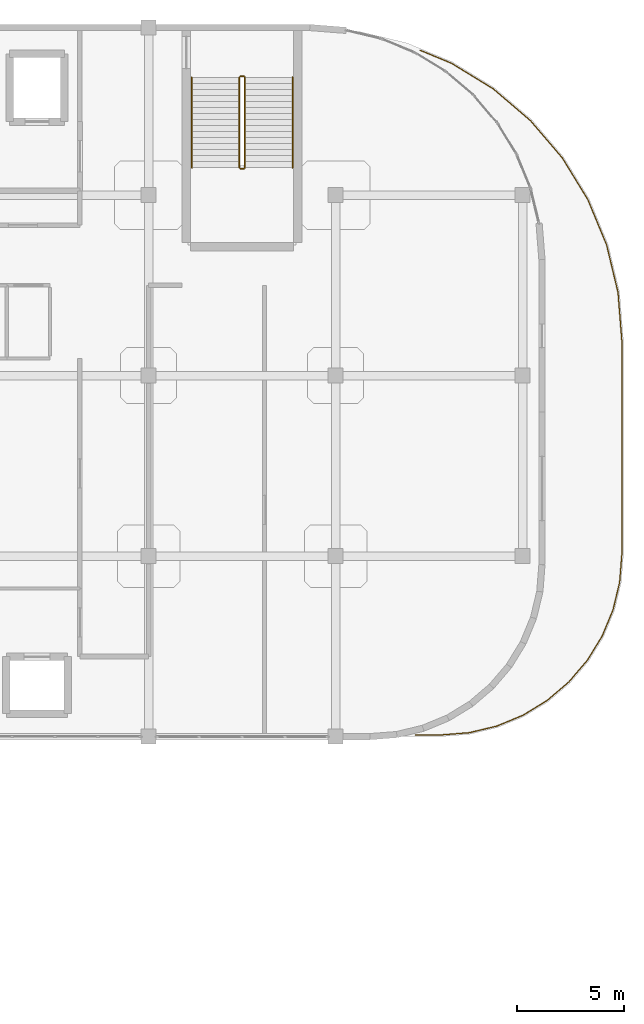
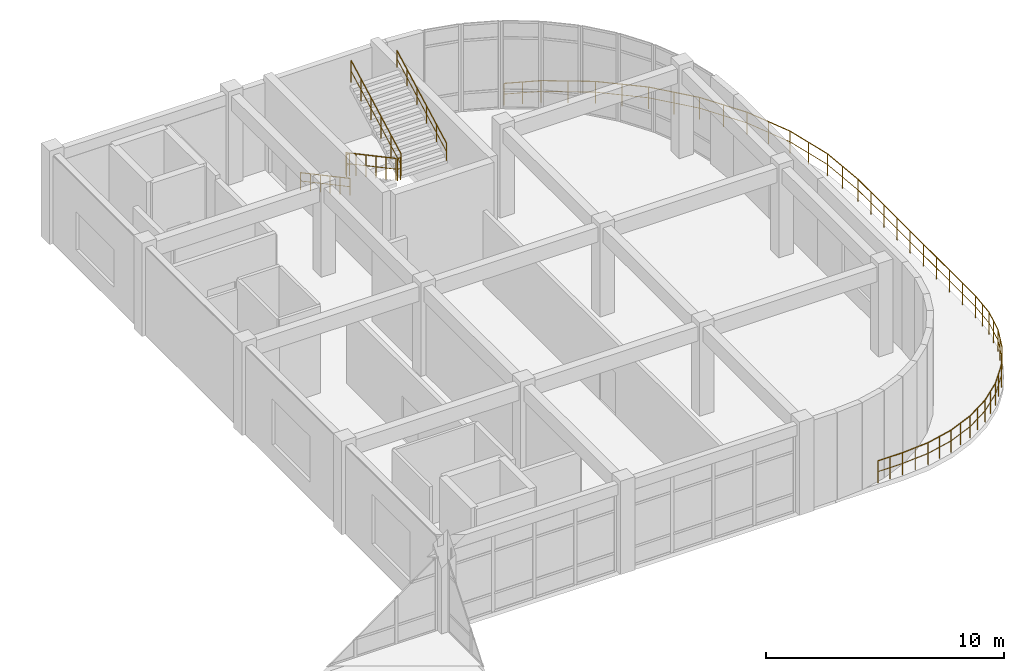
# One storey, part 64 of 64: 7 railings.
"""IFC4 building model written with IfcOpenShell, lengths in metres."""

from ifc_helpers import new_model, si_unit, derived_unit, direction, frame, origin, origin_2d, place, context, subcontext, project, spatial, circle, extrude, material, type_object, element, save


model = new_model("IFC4")

# Units and contexts
model_context = context("Model", 3, precision=1e-05, world=origin(), true_north=direction((0.0, 1.0)))
body_context = subcontext(model_context, "Body", "Model", "MODEL_VIEW")
ifc_project = project(units=[si_unit("LENGTHUNIT", "METRE"), si_unit("AREAUNIT", "SQUARE_METRE"), si_unit("VOLUMEUNIT", "CUBIC_METRE"), si_unit("PLANEANGLEUNIT", "RADIAN"), si_unit("MASSUNIT", "GRAM", prefix="KILO"), derived_unit("THERMALTRANSMITTANCEUNIT", [(si_unit("MASSUNIT", "GRAM", prefix="KILO"), 1), (si_unit("TIMEUNIT", "SECOND"), -3), (si_unit("THERMODYNAMICTEMPERATUREUNIT", "KELVIN"), -1)])], contexts=[model_context])

# Site, building, storey
site_placement = place(None, origin())
site = spatial("IfcSite", under=ifc_project, at=site_placement, CompositionType="ELEMENT")
building_placement = place(site_placement, origin())
building = spatial("IfcBuilding", under=site, at=building_placement, Name="Qinzheling Arcade Emporium", CompositionType="ELEMENT")
storey_placement = place(building_placement, frame((0.0, 0.0, 31.5)))
storey = spatial("IfcBuildingStorey", under=building, at=storey_placement, Name="L07", CompositionType="ELEMENT", Elevation=31.5)

# Railings
ifc_material_1 = material(Name="Architectural bronze rail and laminated safety glass", Category="glass")
railing_type_1 = type_object("IfcRailingType", Name="Curved Terrace Laminated Glass and Bronze Balustrade 1150", PredefinedType="BALUSTRADE", material=ifc_material_1)
railing_1_placement = place(storey_placement, frame((125.72705078125, 105.743896484375, 0.0)))
element("IfcRailing", 1, at=railing_1_placement, inside=storey, type_object=railing_type_1, Name="Terrace Balustrade RLG-TER-L07-019", PredefinedType="BALUSTRADE", context=body_context, shape_type="SweptSolid", body=[
    extrude(circle(Radius=0.02392578125, at=origin_2d()), frame((0.0, 0.0, 1.1259765625), z_axis=(0.923840407265, -0.38277787541, 0.0), x_axis=(0.38277787541, 0.923840407265, 0.0)), (0.0, 0.0, 1.0), 1.585693359375),
    extrude(circle(Radius=0.01611328125, at=origin_2d()), frame((0.0, 0.0, 0.574951171875), z_axis=(0.923840407265, -0.38277787541, 0.0), x_axis=(0.38277787541, 0.923840407265, 0.0)), (0.0, 0.0, 1.0), 1.585693359375),
    extrude(circle(Radius=0.02392578125, at=origin_2d()), frame((1.46484375, -0.60693359375, 1.1259765625), z_axis=(0.852796767504, -0.522242925596, 0.0), x_axis=(0.522242925596, 0.852796767504, 0.0)), (0.0, 0.0, 1.0), 2.278564453125),
    extrude(circle(Radius=0.01611328125, at=origin_2d()), frame((1.46484375, -0.60693359375, 0.574951171875), z_axis=(0.852796767504, -0.522242925596, 0.0), x_axis=(0.522242925596, 0.852796767504, 0.0)), (0.0, 0.0, 1.0), 2.278564453125),
    extrude(circle(Radius=0.02392578125, at=origin_2d()), frame((3.407958984375, -1.796875, 1.1259765625), z_axis=(0.760239145742, -0.649643318507, 0.0), x_axis=(0.649643318507, 0.760239145742, 0.0)), (0.0, 0.0, 1.0), 2.278076171875),
    extrude(circle(Radius=0.01611328125, at=origin_2d()), frame((3.407958984375, -1.796875, 0.574951171875), z_axis=(0.760239145742, -0.649643318507, 0.0), x_axis=(0.649643318507, 0.760239145742, 0.0)), (0.0, 0.0, 1.0), 2.278076171875),
    extrude(circle(Radius=0.02392578125, at=origin_2d()), frame((5.139892578125, -3.27685546875, 1.1259765625), z_axis=(0.649643318507, -0.760239145742, 0.0), x_axis=(0.760239145742, 0.649643318507, 0.0)), (0.0, 0.0, 1.0), 2.278076171875),
    extrude(circle(Radius=0.01611328125, at=origin_2d()), frame((5.139892578125, -3.27685546875, 0.574951171875), z_axis=(0.649643318507, -0.760239145742, 0.0), x_axis=(0.760239145742, 0.649643318507, 0.0)), (0.0, 0.0, 1.0), 2.278076171875),
    extrude(circle(Radius=0.02392578125, at=origin_2d()), frame((6.619873046875, -5.0087890625, 1.1259765625), z_axis=(0.522320844292, -0.852749046096, 0.0), x_axis=(0.852749046096, 0.522320844292, 0.0)), (0.0, 0.0, 1.0), 2.278564453125),
    extrude(circle(Radius=0.01611328125, at=origin_2d()), frame((6.619873046875, -5.0087890625, 0.574951171875), z_axis=(0.522320844292, -0.852749046096, 0.0), x_axis=(0.852749046096, 0.522320844292, 0.0)), (0.0, 0.0, 1.0), 2.278564453125),
    extrude(circle(Radius=0.02392578125, at=origin_2d()), frame((7.81005859375, -6.951904296875, 1.1259765625), z_axis=(0.382651481018, -0.923892766545, 0.0), x_axis=(0.923892766545, 0.382651481018, 0.0)), (0.0, 0.0, 1.0), 2.2783203125),
    extrude(circle(Radius=0.01611328125, at=origin_2d()), frame((7.81005859375, -6.951904296875, 0.574951171875), z_axis=(0.382651481018, -0.923892766545, 0.0), x_axis=(0.923892766545, 0.382651481018, 0.0)), (0.0, 0.0, 1.0), 2.2783203125),
    extrude(circle(Radius=0.02392578125, at=origin_2d()), frame((8.681884765625, -9.056884765625, 1.1259765625), z_axis=(0.233425623331, -0.972374659466, 0.0), x_axis=(0.972374659466, 0.233425623331, 0.0)), (0.0, 0.0, 1.0), 2.279052734375),
    extrude(circle(Radius=0.01611328125, at=origin_2d()), frame((8.681884765625, -9.056884765625, 0.574951171875), z_axis=(0.233425623331, -0.972374659466, 0.0), x_axis=(0.972374659466, 0.233425623331, 0.0)), (0.0, 0.0, 1.0), 2.279052734375),
    extrude(circle(Radius=0.02392578125, at=origin_2d()), frame((9.2138671875, -11.27294921875, 1.1259765625), z_axis=(0.078562523543, -0.996909188389, 0.0), x_axis=(0.996909188389, 0.078562523543, 0.0)), (0.0, 0.0, 1.0), 2.281005859375),
    extrude(circle(Radius=0.01611328125, at=origin_2d()), frame((9.2138671875, -11.27294921875, 0.574951171875), z_axis=(0.078562523543, -0.996909188389, 0.0), x_axis=(0.996909188389, 0.078562523543, 0.0)), (0.0, 0.0, 1.0), 2.281005859375),
    extrude(circle(Radius=0.02392578125, at=origin_2d()), frame((9.39306640625, -13.546875, 1.1259765625), z_axis=(0.0, -1.0, 0.0), x_axis=(1.0, 0.0, 0.0)), (0.0, 0.0, 1.0), 9.89404296875),
    extrude(circle(Radius=0.01611328125, at=origin_2d()), frame((9.39306640625, -13.546875, 0.574951171875), z_axis=(0.0, -1.0, 0.0), x_axis=(1.0, 0.0, 0.0)), (0.0, 0.0, 1.0), 9.89404296875),
    extrude(circle(Radius=0.02392578125, at=origin_2d()), frame((9.39306640625, -23.44091796875, 1.1259765625), z_axis=(-0.078543361838, -0.996910698263, 0.0), x_axis=(0.996910698263, -0.078543361838, 0.0)), (0.0, 0.0, 1.0), 1.32421875),
    extrude(circle(Radius=0.01611328125, at=origin_2d()), frame((9.39306640625, -23.44091796875, 0.574951171875), z_axis=(-0.078543361838, -0.996910698263, 0.0), x_axis=(0.996910698263, -0.078543361838, 0.0)), (0.0, 0.0, 1.0), 1.32421875),
    extrude(circle(Radius=0.02392578125, at=origin_2d()), frame((9.2890625, -24.760986328125, 1.1259765625), z_axis=(-0.233177278107, -0.972434243008, 0.0), x_axis=(0.972434243008, -0.233177278107, 0.0)), (0.0, 0.0, 1.0), 1.3212890625),
    extrude(circle(Radius=0.01611328125, at=origin_2d()), frame((9.2890625, -24.760986328125, 0.574951171875), z_axis=(-0.233177278107, -0.972434243008, 0.0), x_axis=(0.972434243008, -0.233177278107, 0.0)), (0.0, 0.0, 1.0), 1.3212890625),
    extrude(circle(Radius=0.02392578125, at=origin_2d()), frame((8.98095703125, -26.0458984375, 1.1259765625), z_axis=(-0.382922754991, -0.923780365514, 0.0), x_axis=(0.923780365514, -0.382922754991, 0.0)), (0.0, 0.0, 1.0), 1.32177734375),
    extrude(circle(Radius=0.01611328125, at=origin_2d()), frame((8.98095703125, -26.0458984375, 0.574951171875), z_axis=(-0.382922754991, -0.923780365514, 0.0), x_axis=(0.923780365514, -0.382922754991, 0.0)), (0.0, 0.0, 1.0), 1.32177734375),
    extrude(circle(Radius=0.02392578125, at=origin_2d()), frame((8.474853515625, -27.266845703125, 1.1259765625), z_axis=(-0.522466678604, -0.852659703369, 0.0), x_axis=(0.852659703369, -0.522466678604, 0.0)), (0.0, 0.0, 1.0), 1.320556640625),
    extrude(circle(Radius=0.01611328125, at=origin_2d()), frame((8.474853515625, -27.266845703125, 0.574951171875), z_axis=(-0.522466678604, -0.852659703369, 0.0), x_axis=(0.852659703369, -0.522466678604, 0.0)), (0.0, 0.0, 1.0), 1.320556640625),
    extrude(circle(Radius=0.02392578125, at=origin_2d()), frame((7.784912109375, -28.392822265625, 1.1259765625), z_axis=(-0.64999979537, -0.759934382706, 0.0), x_axis=(0.759934382706, -0.64999979537, 0.0)), (0.0, 0.0, 1.0), 1.3212890625),
    extrude(circle(Radius=0.01611328125, at=origin_2d()), frame((7.784912109375, -28.392822265625, 0.574951171875), z_axis=(-0.64999979537, -0.759934382706, 0.0), x_axis=(0.759934382706, -0.64999979537, 0.0)), (0.0, 0.0, 1.0), 1.3212890625),
    extrude(circle(Radius=0.02392578125, at=origin_2d()), frame((6.926025390625, -29.39697265625, 1.1259765625), z_axis=(-0.759934382706, -0.64999979537, 0.0), x_axis=(0.64999979537, -0.759934382706, 0.0)), (0.0, 0.0, 1.0), 1.3212890625),
    extrude(circle(Radius=0.01611328125, at=origin_2d()), frame((6.926025390625, -29.39697265625, 0.574951171875), z_axis=(-0.759934382706, -0.64999979537, 0.0), x_axis=(0.64999979537, -0.759934382706, 0.0)), (0.0, 0.0, 1.0), 1.3212890625),
    extrude(circle(Radius=0.02392578125, at=origin_2d()), frame((5.921875, -30.255859375, 1.1259765625), z_axis=(-0.852659703369, -0.522466678604, 0.0), x_axis=(0.522466678604, -0.852659703369, 0.0)), (0.0, 0.0, 1.0), 1.320556640625),
    extrude(circle(Radius=0.01611328125, at=origin_2d()), frame((5.921875, -30.255859375, 0.574951171875), z_axis=(-0.852659703369, -0.522466678604, 0.0), x_axis=(0.522466678604, -0.852659703369, 0.0)), (0.0, 0.0, 1.0), 1.320556640625),
    extrude(circle(Radius=0.02392578125, at=origin_2d()), frame((4.7958984375, -30.94580078125, 1.1259765625), z_axis=(-0.923780365514, -0.382922754991, 0.0), x_axis=(0.382922754991, -0.923780365514, 0.0)), (0.0, 0.0, 1.0), 1.32177734375),
    extrude(circle(Radius=0.01611328125, at=origin_2d()), frame((4.7958984375, -30.94580078125, 0.574951171875), z_axis=(-0.923780365514, -0.382922754991, 0.0), x_axis=(0.382922754991, -0.923780365514, 0.0)), (0.0, 0.0, 1.0), 1.32177734375),
    extrude(circle(Radius=0.02392578125, at=origin_2d()), frame((3.574951171875, -31.451904296875, 1.1259765625), z_axis=(-0.972434243008, -0.233177278107, 0.0), x_axis=(0.233177278107, -0.972434243008, 0.0)), (0.0, 0.0, 1.0), 1.3212890625),
    extrude(circle(Radius=0.01611328125, at=origin_2d()), frame((3.574951171875, -31.451904296875, 0.574951171875), z_axis=(-0.972434243008, -0.233177278107, 0.0), x_axis=(0.233177278107, -0.972434243008, 0.0)), (0.0, 0.0, 1.0), 1.3212890625),
    extrude(circle(Radius=0.02392578125, at=origin_2d()), frame((2.2900390625, -31.760009765625, 1.1259765625), z_axis=(-0.996910698263, -0.078543361838, 0.0), x_axis=(0.078543361838, -0.996910698263, 0.0)), (0.0, 0.0, 1.0), 1.32421875),
    extrude(circle(Radius=0.01611328125, at=origin_2d()), frame((2.2900390625, -31.760009765625, 0.574951171875), z_axis=(-0.996910698263, -0.078543361838, 0.0), x_axis=(0.078543361838, -0.996910698263, 0.0)), (0.0, 0.0, 1.0), 1.32421875),
    extrude(circle(Radius=0.02392578125, at=origin_2d()), frame((0.969970703125, -31.864013671875, 1.1259765625), z_axis=(-1.0, 0.0, 0.0), x_axis=(0.0, -1.0, 0.0)), (0.0, 0.0, 1.0), 1.180908203125),
    extrude(circle(Radius=0.01611328125, at=origin_2d()), frame((0.969970703125, -31.864013671875, 0.574951171875), z_axis=(-1.0, 0.0, 0.0), x_axis=(0.0, -1.0, 0.0)), (0.0, 0.0, 1.0), 1.180908203125),
    extrude(circle(Radius=0.02099609375, at=origin_2d()), origin(), (0.0, 0.0, 1.0), 1.101806640625),
    extrude(circle(Radius=0.02099609375, at=origin_2d()), frame((0.732421875, -0.303466796875, 0.0)), (0.0, 0.0, 1.0), 1.101806640625),
    extrude(circle(Radius=0.02099609375, at=origin_2d()), frame((1.46484375, -0.60693359375, 0.0)), (0.0, 0.0, 1.0), 1.101806640625),
    extrude(circle(Radius=0.02099609375, at=origin_2d()), frame((2.4365234375, -1.201904296875, 0.0)), (0.0, 0.0, 1.0), 1.101806640625),
    extrude(circle(Radius=0.02099609375, at=origin_2d()), frame((3.407958984375, -1.796875, 0.0)), (0.0, 0.0, 1.0), 1.101806640625),
    extrude(circle(Radius=0.02099609375, at=origin_2d()), frame((4.27392578125, -2.536865234375, 0.0)), (0.0, 0.0, 1.0), 1.101806640625),
    extrude(circle(Radius=0.02099609375, at=origin_2d()), frame((5.139892578125, -3.27685546875, 0.0)), (0.0, 0.0, 1.0), 1.101806640625),
    extrude(circle(Radius=0.02099609375, at=origin_2d()), frame((5.8798828125, -4.142822265625, 0.0)), (0.0, 0.0, 1.0), 1.101806640625),
    extrude(circle(Radius=0.02099609375, at=origin_2d()), frame((6.619873046875, -5.0087890625, 0.0)), (0.0, 0.0, 1.0), 1.101806640625),
    extrude(circle(Radius=0.02099609375, at=origin_2d()), frame((7.21484375, -5.98046875, 0.0)), (0.0, 0.0, 1.0), 1.101806640625),
    extrude(circle(Radius=0.02099609375, at=origin_2d()), frame((7.81005859375, -6.951904296875, 0.0)), (0.0, 0.0, 1.0), 1.101806640625),
    extrude(circle(Radius=0.02099609375, at=origin_2d()), frame((8.24609375, -8.00439453125, 0.0)), (0.0, 0.0, 1.0), 1.101806640625),
    extrude(circle(Radius=0.02099609375, at=origin_2d()), frame((8.681884765625, -9.056884765625, 0.0)), (0.0, 0.0, 1.0), 1.101806640625),
    extrude(circle(Radius=0.02099609375, at=origin_2d()), frame((8.94775390625, -10.1650390625, 0.0)), (0.0, 0.0, 1.0), 1.101806640625),
    extrude(circle(Radius=0.02099609375, at=origin_2d()), frame((9.2138671875, -11.27294921875, 0.0)), (0.0, 0.0, 1.0), 1.101806640625),
    extrude(circle(Radius=0.02099609375, at=origin_2d()), frame((9.303466796875, -12.409912109375, 0.0)), (0.0, 0.0, 1.0), 1.101806640625),
    extrude(circle(Radius=0.02099609375, at=origin_2d()), frame((9.39306640625, -13.546875, 0.0)), (0.0, 0.0, 1.0), 1.101806640625),
    extrude(circle(Radius=0.02099609375, at=origin_2d()), frame((9.39306640625, -14.646240234375, 0.0)), (0.0, 0.0, 1.0), 1.101806640625),
    extrude(circle(Radius=0.02099609375, at=origin_2d()), frame((9.39306640625, -15.74560546875, 0.0)), (0.0, 0.0, 1.0), 1.101806640625),
    extrude(circle(Radius=0.02099609375, at=origin_2d()), frame((9.39306640625, -16.844970703125, 0.0)), (0.0, 0.0, 1.0), 1.101806640625),
    extrude(circle(Radius=0.02099609375, at=origin_2d()), frame((9.39306640625, -17.9443359375, 0.0)), (0.0, 0.0, 1.0), 1.101806640625),
    extrude(circle(Radius=0.02099609375, at=origin_2d()), frame((9.39306640625, -19.04345703125, 0.0)), (0.0, 0.0, 1.0), 1.101806640625),
    extrude(circle(Radius=0.02099609375, at=origin_2d()), frame((9.39306640625, -20.142822265625, 0.0)), (0.0, 0.0, 1.0), 1.101806640625),
    extrude(circle(Radius=0.02099609375, at=origin_2d()), frame((9.39306640625, -21.2421875, 0.0)), (0.0, 0.0, 1.0), 1.101806640625),
    extrude(circle(Radius=0.02099609375, at=origin_2d()), frame((9.39306640625, -22.341552734375, 0.0)), (0.0, 0.0, 1.0), 1.101806640625),
    extrude(circle(Radius=0.02099609375, at=origin_2d()), frame((9.39306640625, -23.44091796875, 0.0)), (0.0, 0.0, 1.0), 1.101806640625),
    extrude(circle(Radius=0.02099609375, at=origin_2d()), frame((9.341064453125, -24.10107421875, 0.0)), (0.0, 0.0, 1.0), 1.101806640625),
    extrude(circle(Radius=0.02099609375, at=origin_2d()), frame((9.2890625, -24.760986328125, 0.0)), (0.0, 0.0, 1.0), 1.101806640625),
    extrude(circle(Radius=0.02099609375, at=origin_2d()), frame((9.135009765625, -25.4033203125, 0.0)), (0.0, 0.0, 1.0), 1.101806640625),
    extrude(circle(Radius=0.02099609375, at=origin_2d()), frame((8.98095703125, -26.0458984375, 0.0)), (0.0, 0.0, 1.0), 1.101806640625),
    extrude(circle(Radius=0.02099609375, at=origin_2d()), frame((8.72802734375, -26.65625, 0.0)), (0.0, 0.0, 1.0), 1.101806640625),
    extrude(circle(Radius=0.02099609375, at=origin_2d()), frame((8.474853515625, -27.266845703125, 0.0)), (0.0, 0.0, 1.0), 1.101806640625),
    extrude(circle(Radius=0.02099609375, at=origin_2d()), frame((8.1298828125, -27.829833984375, 0.0)), (0.0, 0.0, 1.0), 1.101806640625),
    extrude(circle(Radius=0.02099609375, at=origin_2d()), frame((7.784912109375, -28.392822265625, 0.0)), (0.0, 0.0, 1.0), 1.101806640625),
    extrude(circle(Radius=0.02099609375, at=origin_2d()), frame((7.35546875, -28.89501953125, 0.0)), (0.0, 0.0, 1.0), 1.101806640625),
    extrude(circle(Radius=0.02099609375, at=origin_2d()), frame((6.926025390625, -29.39697265625, 0.0)), (0.0, 0.0, 1.0), 1.101806640625),
    extrude(circle(Radius=0.02099609375, at=origin_2d()), frame((6.423828125, -29.826416015625, 0.0)), (0.0, 0.0, 1.0), 1.101806640625),
    extrude(circle(Radius=0.02099609375, at=origin_2d()), frame((5.921875, -30.255859375, 0.0)), (0.0, 0.0, 1.0), 1.101806640625),
    extrude(circle(Radius=0.02099609375, at=origin_2d()), frame((5.35888671875, -30.600830078125, 0.0)), (0.0, 0.0, 1.0), 1.101806640625),
    extrude(circle(Radius=0.02099609375, at=origin_2d()), frame((4.7958984375, -30.94580078125, 0.0)), (0.0, 0.0, 1.0), 1.101806640625),
    extrude(circle(Radius=0.02099609375, at=origin_2d()), frame((4.185546875, -31.19873046875, 0.0)), (0.0, 0.0, 1.0), 1.101806640625),
    extrude(circle(Radius=0.02099609375, at=origin_2d()), frame((3.574951171875, -31.451904296875, 0.0)), (0.0, 0.0, 1.0), 1.101806640625),
    extrude(circle(Radius=0.02099609375, at=origin_2d()), frame((2.9326171875, -31.60595703125, 0.0)), (0.0, 0.0, 1.0), 1.101806640625),
    extrude(circle(Radius=0.02099609375, at=origin_2d()), frame((2.2900390625, -31.760009765625, 0.0)), (0.0, 0.0, 1.0), 1.101806640625),
    extrude(circle(Radius=0.02099609375, at=origin_2d()), frame((1.6298828125, -31.81201171875, 0.0)), (0.0, 0.0, 1.0), 1.101806640625),
    extrude(circle(Radius=0.02099609375, at=origin_2d()), frame((0.969970703125, -31.864013671875, 0.0)), (0.0, 0.0, 1.0), 1.101806640625),
    extrude(circle(Radius=0.02099609375, at=origin_2d()), frame((0.37939453125, -31.864013671875, 0.0)), (0.0, 0.0, 1.0), 1.101806640625),
    extrude(circle(Radius=0.02099609375, at=origin_2d()), frame((-0.2109375, -31.864013671875, 0.0)), (0.0, 0.0, 1.0), 1.101806640625),
])
ifc_material_2 = material(Name="Galvanised powder-coated tubular steel", Category="steel")
railing_type_2 = type_object("IfcRailingType", Name="Painted Steel Stairwell Guard Railing 1150", PredefinedType="GUARDRAIL", material=ifc_material_2)
railing_2_placement = place(storey_placement, frame((117.324951171875, 104.47998046875, 0.14990234375)))
element("IfcRailing", 2, at=railing_2_placement, inside=storey, type_object=railing_type_2, Name="L07 ST08 stair guard 1", PredefinedType="GUARDRAIL", context=body_context, shape_type="SweptSolid", body=[
    extrude(circle(Radius=0.02392578125, at=origin_2d()), frame((0.0, 0.0, 1.1259765625), z_axis=(0.0, -0.881477684796, 0.472225678258), x_axis=(1.0, 0.0, 0.0)), (0.0, 0.0, 1.0), 4.7646484375),
    extrude(circle(Radius=0.01611328125, at=origin_2d()), frame((0.0, 0.0, 0.574951171875), z_axis=(0.0, -0.881477684796, 0.472225678258), x_axis=(1.0, 0.0, 0.0)), (0.0, 0.0, 1.0), 4.7646484375),
    extrude(circle(Radius=0.02099609375, at=origin_2d()), origin(), (0.0, 0.0, 1.0), 1.101806640625),
    extrude(circle(Radius=0.02099609375, at=origin_2d()), frame((0.0, -0.840087890625, 0.449951171875)), (0.0, 0.0, 1.0), 1.101806640625),
    extrude(circle(Radius=0.02099609375, at=origin_2d()), frame((0.0, -1.679931640625, 0.89990234375)), (0.0, 0.0, 1.0), 1.101806640625),
    extrude(circle(Radius=0.02099609375, at=origin_2d()), frame((0.0, -2.52001953125, 1.35009765625)), (0.0, 0.0, 1.0), 1.101806640625),
    extrude(circle(Radius=0.02099609375, at=origin_2d()), frame((0.0, -3.35986328125, 1.800048828125)), (0.0, 0.0, 1.0), 1.101806640625),
    extrude(circle(Radius=0.02099609375, at=origin_2d()), frame((0.0, -4.199951171875, 2.25)), (0.0, 0.0, 1.0), 1.101806640625),
])
railing_3_placement = place(storey_placement, frame((117.375, 100.22998046875, 2.39990234375)))
element("IfcRailing", 3, at=railing_3_placement, inside=storey, type_object=railing_type_2, Name="L07 ST08 stair guard 2", PredefinedType="GUARDRAIL", context=body_context, shape_type="SweptSolid", body=[
    extrude(circle(Radius=0.02392578125, at=origin_2d()), frame((0.0, 0.0, 1.1259765625), z_axis=(1.0, 0.0, 0.0), x_axis=(0.0, 1.0, 0.0)), (0.0, 0.0, 1.0), 0.14990234375),
    extrude(circle(Radius=0.01611328125, at=origin_2d()), frame((0.0, 0.0, 0.574951171875), z_axis=(1.0, 0.0, 0.0), x_axis=(0.0, 1.0, 0.0)), (0.0, 0.0, 1.0), 0.14990234375),
    extrude(circle(Radius=0.02099609375, at=origin_2d()), origin(), (0.0, 0.0, 1.0), 1.101806640625),
    extrude(circle(Radius=0.02099609375, at=origin_2d()), frame((0.14990234375, 0.0, 0.0)), (0.0, 0.0, 1.0), 1.101806640625),
])
railing_4_placement = place(storey_placement, frame((117.574951171875, 100.280029296875, 2.550048828125)))
element("IfcRailing", 4, at=railing_4_placement, inside=storey, type_object=railing_type_2, Name="L07 ST08 stair guard 3", PredefinedType="GUARDRAIL", context=body_context, shape_type="SweptSolid", body=[
    extrude(circle(Radius=0.02392578125, at=origin_2d()), frame((0.0, 0.0, 1.1259765625), z_axis=(0.0, 0.881477684796, 0.472225678258), x_axis=(-1.0, 0.0, 0.0)), (0.0, 0.0, 1.0), 4.7646484375),
    extrude(circle(Radius=0.01611328125, at=origin_2d()), frame((0.0, 0.0, 0.574951171875), z_axis=(0.0, 0.881477684796, 0.472225678258), x_axis=(-1.0, 0.0, 0.0)), (0.0, 0.0, 1.0), 4.7646484375),
    extrude(circle(Radius=0.02099609375, at=origin_2d()), origin(), (0.0, 0.0, 1.0), 1.101806640625),
    extrude(circle(Radius=0.02099609375, at=origin_2d()), frame((0.0, 0.840087890625, 0.449951171875)), (0.0, 0.0, 1.0), 1.101806640625),
    extrude(circle(Radius=0.02099609375, at=origin_2d()), frame((0.0, 1.679931640625, 0.89990234375)), (0.0, 0.0, 1.0), 1.101806640625),
    extrude(circle(Radius=0.02099609375, at=origin_2d()), frame((0.0, 2.52001953125, 1.35009765625)), (0.0, 0.0, 1.0), 1.101806640625),
    extrude(circle(Radius=0.02099609375, at=origin_2d()), frame((0.0, 3.35986328125, 1.800048828125)), (0.0, 0.0, 1.0), 1.101806640625),
    extrude(circle(Radius=0.02099609375, at=origin_2d()), frame((0.0, 4.199951171875, 2.25)), (0.0, 0.0, 1.0), 1.101806640625),
])
railing_5_placement = place(storey_placement, frame((117.375, 104.530029296875, 0.0)))
element("IfcRailing", 5, at=railing_5_placement, inside=storey, type_object=railing_type_2, Name="L07 ST08 stair guard 4", PredefinedType="GUARDRAIL", context=body_context, shape_type="SweptSolid", body=[
    extrude(circle(Radius=0.02392578125, at=origin_2d()), frame((0.0, 0.0, 1.1259765625), z_axis=(1.0, 0.0, 0.0), x_axis=(0.0, 1.0, 0.0)), (0.0, 0.0, 1.0), 0.14990234375),
    extrude(circle(Radius=0.01611328125, at=origin_2d()), frame((0.0, 0.0, 0.574951171875), z_axis=(1.0, 0.0, 0.0), x_axis=(0.0, 1.0, 0.0)), (0.0, 0.0, 1.0), 0.14990234375),
    extrude(circle(Radius=0.02099609375, at=origin_2d()), origin(), (0.0, 0.0, 1.0), 1.101806640625),
    extrude(circle(Radius=0.02099609375, at=origin_2d()), frame((0.14990234375, 0.0, 0.0)), (0.0, 0.0, 1.0), 1.101806640625),
])
ifc_material_3 = material(Name="Brushed stainless steel 304", Category="steel")
railing_type_3 = type_object("IfcRailingType", Name="Stainless Steel Wall Handrail 900", PredefinedType="HANDRAIL", material=ifc_material_3)
railing_6_placement = place(storey_placement, frame((115.10498046875, 104.47998046875, 0.14990234375)))
element("IfcRailing", 6, at=railing_6_placement, inside=storey, type_object=railing_type_3, Name="L07 ST08 stair handrail 1", PredefinedType="HANDRAIL", context=body_context, shape_type="SweptSolid", body=[
    extrude(circle(Radius=0.02392578125, at=origin_2d()), frame((0.0, 0.0, 0.8759765625), z_axis=(0.0, -0.881477684796, 0.472225678258), x_axis=(1.0, 0.0, 0.0)), (0.0, 0.0, 1.0), 4.7646484375),
    extrude(circle(Radius=0.01611328125, at=origin_2d()), frame((0.0, 0.0, 0.449951171875), z_axis=(0.0, -0.881477684796, 0.472225678258), x_axis=(1.0, 0.0, 0.0)), (0.0, 0.0, 1.0), 4.7646484375),
    extrude(circle(Radius=0.02099609375, at=origin_2d()), origin(), (0.0, 0.0, 1.0), 0.851806640625),
    extrude(circle(Radius=0.02099609375, at=origin_2d()), frame((0.0, -0.840087890625, 0.449951171875)), (0.0, 0.0, 1.0), 0.851806640625),
    extrude(circle(Radius=0.02099609375, at=origin_2d()), frame((0.0, -1.679931640625, 0.89990234375)), (0.0, 0.0, 1.0), 0.851806640625),
    extrude(circle(Radius=0.02099609375, at=origin_2d()), frame((0.0, -2.52001953125, 1.35009765625)), (0.0, 0.0, 1.0), 0.851806640625),
    extrude(circle(Radius=0.02099609375, at=origin_2d()), frame((0.0, -3.35986328125, 1.800048828125)), (0.0, 0.0, 1.0), 0.851806640625),
    extrude(circle(Radius=0.02099609375, at=origin_2d()), frame((0.0, -4.199951171875, 2.25)), (0.0, 0.0, 1.0), 0.851806640625),
])
railing_7_placement = place(storey_placement, frame((119.794921875, 100.280029296875, 2.550048828125)))
element("IfcRailing", 7, at=railing_7_placement, inside=storey, type_object=railing_type_3, Name="L07 ST08 stair handrail 2", PredefinedType="HANDRAIL", context=body_context, shape_type="SweptSolid", body=[
    extrude(circle(Radius=0.02392578125, at=origin_2d()), frame((0.0, 0.0, 0.8759765625), z_axis=(0.0, 0.881477684796, 0.472225678258), x_axis=(-1.0, 0.0, 0.0)), (0.0, 0.0, 1.0), 4.7646484375),
    extrude(circle(Radius=0.01611328125, at=origin_2d()), frame((0.0, 0.0, 0.449951171875), z_axis=(0.0, 0.881477684796, 0.472225678258), x_axis=(-1.0, 0.0, 0.0)), (0.0, 0.0, 1.0), 4.7646484375),
    extrude(circle(Radius=0.02099609375, at=origin_2d()), origin(), (0.0, 0.0, 1.0), 0.851806640625),
    extrude(circle(Radius=0.02099609375, at=origin_2d()), frame((0.0, 0.840087890625, 0.449951171875)), (0.0, 0.0, 1.0), 0.851806640625),
    extrude(circle(Radius=0.02099609375, at=origin_2d()), frame((0.0, 1.679931640625, 0.89990234375)), (0.0, 0.0, 1.0), 0.851806640625),
    extrude(circle(Radius=0.02099609375, at=origin_2d()), frame((0.0, 2.52001953125, 1.35009765625)), (0.0, 0.0, 1.0), 0.851806640625),
    extrude(circle(Radius=0.02099609375, at=origin_2d()), frame((0.0, 3.35986328125, 1.800048828125)), (0.0, 0.0, 1.0), 0.851806640625),
    extrude(circle(Radius=0.02099609375, at=origin_2d()), frame((0.0, 4.199951171875, 2.25)), (0.0, 0.0, 1.0), 0.851806640625),
])

save(model, "model.ifc")
